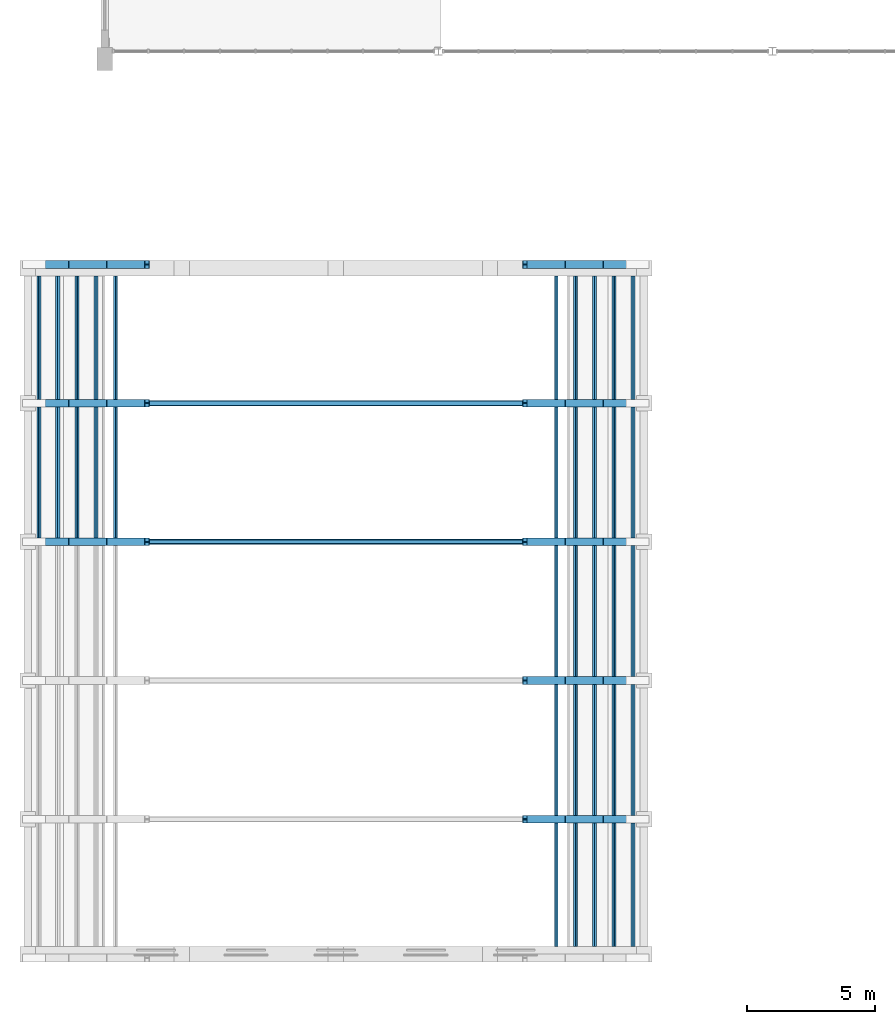
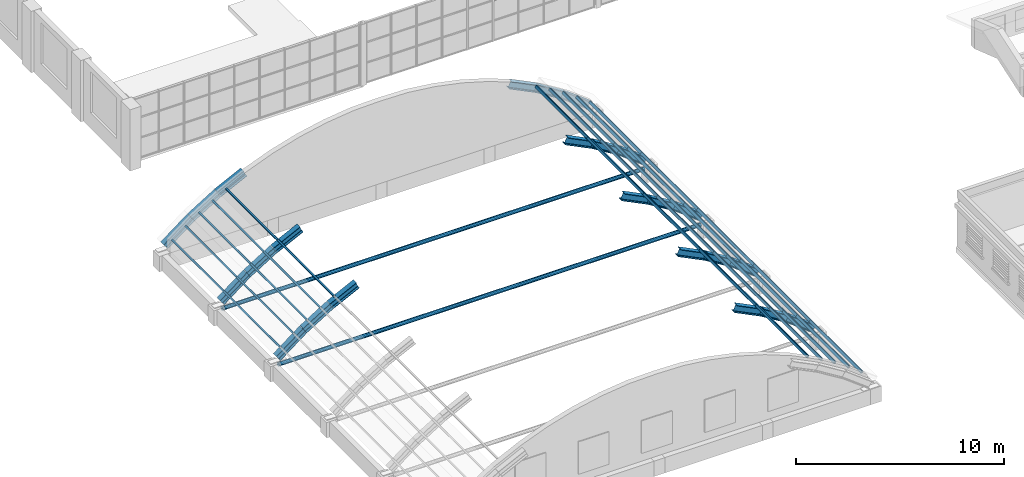
# One storey, part 5 of 70: 61 members.
"""IFC4 building model written with IfcOpenShell, lengths in metres."""

from ifc_helpers import new_model, si_unit, direction, frame, origin, origin_2d, place, context, subcontext, project, spatial, hollow_rectangle, hollow_circle, i_section, extrude, material, material_profile, profile_set, type_object, element, save


model = new_model("IFC4")

# Units and contexts
model_context = context("Model", 3, precision=1e-05, world=origin(), true_north=direction((0.0, 1.0)))
body_context = subcontext(model_context, "Body", "Model", "MODEL_VIEW")
ifc_project = project(units=[si_unit("LENGTHUNIT", "METRE"), si_unit("AREAUNIT", "SQUARE_METRE"), si_unit("VOLUMEUNIT", "CUBIC_METRE"), si_unit("PLANEANGLEUNIT", "RADIAN"), si_unit("MASSUNIT", "GRAM", prefix="KILO")], contexts=[model_context])

# Site, building, storey
site_placement = place(None, origin())
site = spatial("IfcSite", under=ifc_project, at=site_placement, CompositionType="ELEMENT")
building_placement = place(site_placement, origin())
building = spatial("IfcBuilding", under=site, at=building_placement, Name="Elbe Cascade School", CompositionType="ELEMENT")
storey_placement = place(building_placement, frame((0.0, 0.0, 8.10009765625)))
storey = spatial("IfcBuildingStorey", under=building, at=storey_placement, Name="L02", CompositionType="ELEMENT", Elevation=8.10009765625)

# Members
ifc_material_1 = material(Name="Steel S355J2H", Category="steel")
ifc_material_profile_1 = material_profile(ifc_material_1, hollow_rectangle(XDim=0.10009765625, YDim=0.14990234375, WallThickness=0.008056640625, InnerFilletRadius=0.008056640625, OuterFilletRadius=0.011962890625, at=origin_2d()), Name="RHS 150x100x8")
ifc_profile_set_1 = profile_set([ifc_material_profile_1], Name="Steel S355J2H")
member_type_1 = type_object("IfcMemberType", Name="Assembly hall vault purlin RHS 150x100x8", PredefinedType="PURLIN", material=ifc_profile_set_1)
member_1_placement = place(storey_placement, frame((5.43359375, 22.199951171875, 1.59765625), z_axis=(0.0, 1.0, 0.0), x_axis=(-0.795995663867, 0.0, -0.605302323723)))
element("IfcMember", 1, at=member_1_placement, inside=storey, type_object=member_type_1, Name="Assembly hall vault purlin RHS 150x100x8 M12", PredefinedType="PURLIN", context=body_context, shape_type="SweptSolid", body=[
    extrude(hollow_rectangle(XDim=0.10009765625, YDim=0.14990234375, WallThickness=0.008056640625, InnerFilletRadius=0.008056640625, OuterFilletRadius=0.011962890625, at=origin_2d()), origin(), (0.0, 0.0, 1.0), 5.400146484375),
])
member_2_placement = place(storey_placement, frame((5.43359375, 27.60009765625, 1.59765625), z_axis=(0.0, 1.0, 0.0), x_axis=(-0.795995663867, 0.0, -0.605302323723)))
element("IfcMember", 2, at=member_2_placement, inside=storey, type_object=member_type_1, Name="Assembly hall vault purlin RHS 150x100x8 M12", PredefinedType="PURLIN", context=body_context, shape_type="SweptSolid", body=[
    extrude(hollow_rectangle(XDim=0.10009765625, YDim=0.14990234375, WallThickness=0.008056640625, InnerFilletRadius=0.008056640625, OuterFilletRadius=0.011962890625, at=origin_2d()), origin(), (0.0, 0.0, 1.0), 4.949951171875),
])
member_3_placement = place(storey_placement, frame((6.1689453125, 22.199951171875, 2.156982421875), z_axis=(0.0, 1.0, 0.0), x_axis=(-0.795995663867, 0.0, -0.605302323723)))
element("IfcMember", 3, at=member_3_placement, inside=storey, type_object=member_type_1, Name="Assembly hall vault purlin RHS 150x100x8 M12", PredefinedType="PURLIN", context=body_context, shape_type="SweptSolid", body=[
    extrude(hollow_rectangle(XDim=0.10009765625, YDim=0.14990234375, WallThickness=0.008056640625, InnerFilletRadius=0.008056640625, OuterFilletRadius=0.011962890625, at=origin_2d()), origin(), (0.0, 0.0, 1.0), 5.400146484375),
])
member_4_placement = place(storey_placement, frame((6.1689453125, 27.60009765625, 2.156982421875), z_axis=(0.0, 1.0, 0.0), x_axis=(-0.795995663867, 0.0, -0.605302323723)))
element("IfcMember", 4, at=member_4_placement, inside=storey, type_object=member_type_1, Name="Assembly hall vault purlin RHS 150x100x8 M12", PredefinedType="PURLIN", context=body_context, shape_type="SweptSolid", body=[
    extrude(hollow_rectangle(XDim=0.10009765625, YDim=0.14990234375, WallThickness=0.008056640625, InnerFilletRadius=0.008056640625, OuterFilletRadius=0.011962890625, at=origin_2d()), origin(), (0.0, 0.0, 1.0), 4.949951171875),
])
member_5_placement = place(storey_placement, frame((6.9267578125, 22.199951171875, 2.678466796875), z_axis=(0.0, 1.0, 0.0), x_axis=(-0.851433237023, 0.0, -0.524463004313)))
element("IfcMember", 5, at=member_5_placement, inside=storey, type_object=member_type_1, Name="Assembly hall vault purlin RHS 150x100x8 M12", PredefinedType="PURLIN", context=body_context, shape_type="SweptSolid", body=[
    extrude(hollow_rectangle(XDim=0.10009765625, YDim=0.14990234375, WallThickness=0.008056640625, InnerFilletRadius=0.008056640625, OuterFilletRadius=0.011962890625, at=origin_2d()), origin(), (0.0, 0.0, 1.0), 5.400146484375),
])
member_6_placement = place(storey_placement, frame((6.9267578125, 27.60009765625, 2.678466796875), z_axis=(0.0, 1.0, 0.0), x_axis=(-0.851433237023, 0.0, -0.524463004313)))
element("IfcMember", 6, at=member_6_placement, inside=storey, type_object=member_type_1, Name="Assembly hall vault purlin RHS 150x100x8 M12", PredefinedType="PURLIN", context=body_context, shape_type="SweptSolid", body=[
    extrude(hollow_rectangle(XDim=0.10009765625, YDim=0.14990234375, WallThickness=0.008056640625, InnerFilletRadius=0.008056640625, OuterFilletRadius=0.011962890625, at=origin_2d()), origin(), (0.0, 0.0, 1.0), 4.949951171875),
])
member_7_placement = place(storey_placement, frame((7.662109375, 22.199951171875, 3.13134765625), z_axis=(0.0, 1.0, 0.0), x_axis=(-0.851433237023, 0.0, -0.524463004313)))
element("IfcMember", 7, at=member_7_placement, inside=storey, type_object=member_type_1, Name="Assembly hall vault purlin RHS 150x100x8 M12", PredefinedType="PURLIN", context=body_context, shape_type="SweptSolid", body=[
    extrude(hollow_rectangle(XDim=0.10009765625, YDim=0.14990234375, WallThickness=0.008056640625, InnerFilletRadius=0.008056640625, OuterFilletRadius=0.011962890625, at=origin_2d()), origin(), (0.0, 0.0, 1.0), 5.400146484375),
])
member_8_placement = place(storey_placement, frame((7.662109375, 27.60009765625, 3.13134765625), z_axis=(0.0, 1.0, 0.0), x_axis=(-0.851433237023, 0.0, -0.524463004313)))
element("IfcMember", 8, at=member_8_placement, inside=storey, type_object=member_type_1, Name="Assembly hall vault purlin RHS 150x100x8 M12", PredefinedType="PURLIN", context=body_context, shape_type="SweptSolid", body=[
    extrude(hollow_rectangle(XDim=0.10009765625, YDim=0.14990234375, WallThickness=0.008056640625, InnerFilletRadius=0.008056640625, OuterFilletRadius=0.011962890625, at=origin_2d()), origin(), (0.0, 0.0, 1.0), 4.949951171875),
])
member_9_placement = place(storey_placement, frame((8.419921875, 22.199951171875, 3.55224609375), z_axis=(0.0, 1.0, 0.0), x_axis=(-0.896138941153, 0.0, -0.443773588837)))
element("IfcMember", 9, at=member_9_placement, inside=storey, type_object=member_type_1, Name="Assembly hall vault purlin RHS 150x100x8 M12", PredefinedType="PURLIN", context=body_context, shape_type="SweptSolid", body=[
    extrude(hollow_rectangle(XDim=0.10009765625, YDim=0.14990234375, WallThickness=0.008056640625, InnerFilletRadius=0.008056640625, OuterFilletRadius=0.011962890625, at=origin_2d()), origin(), (0.0, 0.0, 1.0), 5.400146484375),
])
for number, where, z_axis, x_axis, name in (
    (10, (8.419921875, 27.60009765625, 3.55224609375), (0.0, 1.0, 0.0), (-0.896138941153, 0.0, -0.443773588837), "Assembly hall vault purlin RHS 150x100x8 M12"),
    (11, (25.580078125, 6.449951171875, 3.55224609375), (0.0, 1.0, 0.0), (-0.896150558811, 0.0, 0.443750127822), "Assembly hall vault purlin RHS 150x100x8 M12"),
):
    element("IfcMember", number, at=place(storey_placement, frame(where, z_axis=z_axis, x_axis=x_axis)), inside=storey, type_object=member_type_1, Name=name, PredefinedType="PURLIN", context=body_context, shape_type="SweptSolid", body=[
        extrude(hollow_rectangle(XDim=0.10009765625, YDim=0.14990234375, WallThickness=0.008056640625, InnerFilletRadius=0.008056640625, OuterFilletRadius=0.011962890625, at=origin_2d()), origin(), (0.0, 0.0, 1.0), 4.949951171875),
    ])
member_10_placement = place(storey_placement, frame((25.580078125, 11.39990234375, 3.55224609375), z_axis=(0.0, 1.0, 0.0), x_axis=(-0.896150558811, 0.0, 0.443750127822)))
element("IfcMember", 12, at=member_10_placement, inside=storey, type_object=member_type_1, Name="Assembly hall vault purlin RHS 150x100x8 M12", PredefinedType="PURLIN", context=body_context, shape_type="SweptSolid", body=[
    extrude(hollow_rectangle(XDim=0.10009765625, YDim=0.14990234375, WallThickness=0.008056640625, InnerFilletRadius=0.008056640625, OuterFilletRadius=0.011962890625, at=origin_2d()), origin(), (0.0, 0.0, 1.0), 5.400146484375),
])
member_11_placement = place(storey_placement, frame((25.580078125, 16.800048828125, 3.55224609375), z_axis=(0.0, 1.0, 0.0), x_axis=(-0.896150558811, 0.0, 0.443750127822)))
element("IfcMember", 13, at=member_11_placement, inside=storey, type_object=member_type_1, Name="Assembly hall vault purlin RHS 150x100x8 M12", PredefinedType="PURLIN", context=body_context, shape_type="SweptSolid", body=[
    extrude(hollow_rectangle(XDim=0.10009765625, YDim=0.14990234375, WallThickness=0.008056640625, InnerFilletRadius=0.008056640625, OuterFilletRadius=0.011962890625, at=origin_2d()), origin(), (0.0, 0.0, 1.0), 5.39990234375),
])
member_12_placement = place(storey_placement, frame((25.580078125, 22.199951171875, 3.55224609375), z_axis=(0.0, 1.0, 0.0), x_axis=(-0.896150558811, 0.0, 0.443750127822)))
element("IfcMember", 14, at=member_12_placement, inside=storey, type_object=member_type_1, Name="Assembly hall vault purlin RHS 150x100x8 M12", PredefinedType="PURLIN", context=body_context, shape_type="SweptSolid", body=[
    extrude(hollow_rectangle(XDim=0.10009765625, YDim=0.14990234375, WallThickness=0.008056640625, InnerFilletRadius=0.008056640625, OuterFilletRadius=0.011962890625, at=origin_2d()), origin(), (0.0, 0.0, 1.0), 5.400146484375),
])
for number, where, z_axis, x_axis, name in (
    (15, (25.580078125, 27.60009765625, 3.55224609375), (0.0, 1.0, 0.0), (-0.896150558811, 0.0, 0.443750127822), "Assembly hall vault purlin RHS 150x100x8 M12"),
    (16, (26.337890625, 6.449951171875, 3.13134765625), (0.0, 1.0, 0.0), (-0.851417675517, 0.0, 0.524488266615), "Assembly hall vault purlin RHS 150x100x8 M12"),
):
    element("IfcMember", number, at=place(storey_placement, frame(where, z_axis=z_axis, x_axis=x_axis)), inside=storey, type_object=member_type_1, Name=name, PredefinedType="PURLIN", context=body_context, shape_type="SweptSolid", body=[
        extrude(hollow_rectangle(XDim=0.10009765625, YDim=0.14990234375, WallThickness=0.008056640625, InnerFilletRadius=0.008056640625, OuterFilletRadius=0.011962890625, at=origin_2d()), origin(), (0.0, 0.0, 1.0), 4.949951171875),
    ])
member_13_placement = place(storey_placement, frame((26.337890625, 11.39990234375, 3.13134765625), z_axis=(0.0, 1.0, 0.0), x_axis=(-0.851417675517, 0.0, 0.524488266615)))
element("IfcMember", 17, at=member_13_placement, inside=storey, type_object=member_type_1, Name="Assembly hall vault purlin RHS 150x100x8 M12", PredefinedType="PURLIN", context=body_context, shape_type="SweptSolid", body=[
    extrude(hollow_rectangle(XDim=0.10009765625, YDim=0.14990234375, WallThickness=0.008056640625, InnerFilletRadius=0.008056640625, OuterFilletRadius=0.011962890625, at=origin_2d()), origin(), (0.0, 0.0, 1.0), 5.400146484375),
])
member_14_placement = place(storey_placement, frame((26.337890625, 16.800048828125, 3.13134765625), z_axis=(0.0, 1.0, 0.0), x_axis=(-0.851417675517, 0.0, 0.524488266615)))
element("IfcMember", 18, at=member_14_placement, inside=storey, type_object=member_type_1, Name="Assembly hall vault purlin RHS 150x100x8 M12", PredefinedType="PURLIN", context=body_context, shape_type="SweptSolid", body=[
    extrude(hollow_rectangle(XDim=0.10009765625, YDim=0.14990234375, WallThickness=0.008056640625, InnerFilletRadius=0.008056640625, OuterFilletRadius=0.011962890625, at=origin_2d()), origin(), (0.0, 0.0, 1.0), 5.39990234375),
])
member_15_placement = place(storey_placement, frame((26.337890625, 22.199951171875, 3.13134765625), z_axis=(0.0, 1.0, 0.0), x_axis=(-0.851417675517, 0.0, 0.524488266615)))
element("IfcMember", 19, at=member_15_placement, inside=storey, type_object=member_type_1, Name="Assembly hall vault purlin RHS 150x100x8 M12", PredefinedType="PURLIN", context=body_context, shape_type="SweptSolid", body=[
    extrude(hollow_rectangle(XDim=0.10009765625, YDim=0.14990234375, WallThickness=0.008056640625, InnerFilletRadius=0.008056640625, OuterFilletRadius=0.011962890625, at=origin_2d()), origin(), (0.0, 0.0, 1.0), 5.400146484375),
])
for number, where, z_axis, x_axis, name in (
    (20, (26.337890625, 27.60009765625, 3.13134765625), (0.0, 1.0, 0.0), (-0.851417675517, 0.0, 0.524488266615), "Assembly hall vault purlin RHS 150x100x8 M12"),
    (21, (27.0732421875, 6.449951171875, 2.678466796875), (0.0, 1.0, 0.0), (-0.851417675517, 0.0, 0.524488266615), "Assembly hall vault purlin RHS 150x100x8 M12"),
):
    element("IfcMember", number, at=place(storey_placement, frame(where, z_axis=z_axis, x_axis=x_axis)), inside=storey, type_object=member_type_1, Name=name, PredefinedType="PURLIN", context=body_context, shape_type="SweptSolid", body=[
        extrude(hollow_rectangle(XDim=0.10009765625, YDim=0.14990234375, WallThickness=0.008056640625, InnerFilletRadius=0.008056640625, OuterFilletRadius=0.011962890625, at=origin_2d()), origin(), (0.0, 0.0, 1.0), 4.949951171875),
    ])
member_16_placement = place(storey_placement, frame((27.0732421875, 11.39990234375, 2.678466796875), z_axis=(0.0, 1.0, 0.0), x_axis=(-0.851417675517, 0.0, 0.524488266615)))
element("IfcMember", 22, at=member_16_placement, inside=storey, type_object=member_type_1, Name="Assembly hall vault purlin RHS 150x100x8 M12", PredefinedType="PURLIN", context=body_context, shape_type="SweptSolid", body=[
    extrude(hollow_rectangle(XDim=0.10009765625, YDim=0.14990234375, WallThickness=0.008056640625, InnerFilletRadius=0.008056640625, OuterFilletRadius=0.011962890625, at=origin_2d()), origin(), (0.0, 0.0, 1.0), 5.400146484375),
])
member_17_placement = place(storey_placement, frame((27.0732421875, 16.800048828125, 2.678466796875), z_axis=(0.0, 1.0, 0.0), x_axis=(-0.851417675517, 0.0, 0.524488266615)))
element("IfcMember", 23, at=member_17_placement, inside=storey, type_object=member_type_1, Name="Assembly hall vault purlin RHS 150x100x8 M12", PredefinedType="PURLIN", context=body_context, shape_type="SweptSolid", body=[
    extrude(hollow_rectangle(XDim=0.10009765625, YDim=0.14990234375, WallThickness=0.008056640625, InnerFilletRadius=0.008056640625, OuterFilletRadius=0.011962890625, at=origin_2d()), origin(), (0.0, 0.0, 1.0), 5.39990234375),
])
member_18_placement = place(storey_placement, frame((27.0732421875, 22.199951171875, 2.678466796875), z_axis=(0.0, 1.0, 0.0), x_axis=(-0.851417675517, 0.0, 0.524488266615)))
element("IfcMember", 24, at=member_18_placement, inside=storey, type_object=member_type_1, Name="Assembly hall vault purlin RHS 150x100x8 M12", PredefinedType="PURLIN", context=body_context, shape_type="SweptSolid", body=[
    extrude(hollow_rectangle(XDim=0.10009765625, YDim=0.14990234375, WallThickness=0.008056640625, InnerFilletRadius=0.008056640625, OuterFilletRadius=0.011962890625, at=origin_2d()), origin(), (0.0, 0.0, 1.0), 5.400146484375),
])
for number, where, z_axis, x_axis, name in (
    (25, (27.0732421875, 27.60009765625, 2.678466796875), (0.0, 1.0, 0.0), (-0.851417675517, 0.0, 0.524488266615), "Assembly hall vault purlin RHS 150x100x8 M12"),
    (26, (27.8310546875, 6.449951171875, 2.156982421875), (0.0, 1.0, 0.0), (-0.795995663867, 0.0, 0.605302323723), "Assembly hall vault purlin RHS 150x100x8 M12"),
):
    element("IfcMember", number, at=place(storey_placement, frame(where, z_axis=z_axis, x_axis=x_axis)), inside=storey, type_object=member_type_1, Name=name, PredefinedType="PURLIN", context=body_context, shape_type="SweptSolid", body=[
        extrude(hollow_rectangle(XDim=0.10009765625, YDim=0.14990234375, WallThickness=0.008056640625, InnerFilletRadius=0.008056640625, OuterFilletRadius=0.011962890625, at=origin_2d()), origin(), (0.0, 0.0, 1.0), 4.949951171875),
    ])
member_19_placement = place(storey_placement, frame((27.8310546875, 11.39990234375, 2.156982421875), z_axis=(0.0, 1.0, 0.0), x_axis=(-0.795995663867, 0.0, 0.605302323723)))
element("IfcMember", 27, at=member_19_placement, inside=storey, type_object=member_type_1, Name="Assembly hall vault purlin RHS 150x100x8 M12", PredefinedType="PURLIN", context=body_context, shape_type="SweptSolid", body=[
    extrude(hollow_rectangle(XDim=0.10009765625, YDim=0.14990234375, WallThickness=0.008056640625, InnerFilletRadius=0.008056640625, OuterFilletRadius=0.011962890625, at=origin_2d()), origin(), (0.0, 0.0, 1.0), 5.400146484375),
])
member_20_placement = place(storey_placement, frame((27.8310546875, 16.800048828125, 2.156982421875), z_axis=(0.0, 1.0, 0.0), x_axis=(-0.795995663867, 0.0, 0.605302323723)))
element("IfcMember", 28, at=member_20_placement, inside=storey, type_object=member_type_1, Name="Assembly hall vault purlin RHS 150x100x8 M12", PredefinedType="PURLIN", context=body_context, shape_type="SweptSolid", body=[
    extrude(hollow_rectangle(XDim=0.10009765625, YDim=0.14990234375, WallThickness=0.008056640625, InnerFilletRadius=0.008056640625, OuterFilletRadius=0.011962890625, at=origin_2d()), origin(), (0.0, 0.0, 1.0), 5.39990234375),
])
member_21_placement = place(storey_placement, frame((27.8310546875, 22.199951171875, 2.156982421875), z_axis=(0.0, 1.0, 0.0), x_axis=(-0.795995663867, 0.0, 0.605302323723)))
element("IfcMember", 29, at=member_21_placement, inside=storey, type_object=member_type_1, Name="Assembly hall vault purlin RHS 150x100x8 M12", PredefinedType="PURLIN", context=body_context, shape_type="SweptSolid", body=[
    extrude(hollow_rectangle(XDim=0.10009765625, YDim=0.14990234375, WallThickness=0.008056640625, InnerFilletRadius=0.008056640625, OuterFilletRadius=0.011962890625, at=origin_2d()), origin(), (0.0, 0.0, 1.0), 5.400146484375),
])
for number, where, z_axis, x_axis, name in (
    (30, (27.8310546875, 27.60009765625, 2.156982421875), (0.0, 1.0, 0.0), (-0.795995663867, 0.0, 0.605302323723), "Assembly hall vault purlin RHS 150x100x8 M12"),
    (31, (28.56640625, 6.449951171875, 1.59765625), (0.0, 1.0, 0.0), (-0.795995663867, 0.0, 0.605302323723), "Assembly hall vault purlin RHS 150x100x8 M12"),
):
    element("IfcMember", number, at=place(storey_placement, frame(where, z_axis=z_axis, x_axis=x_axis)), inside=storey, type_object=member_type_1, Name=name, PredefinedType="PURLIN", context=body_context, shape_type="SweptSolid", body=[
        extrude(hollow_rectangle(XDim=0.10009765625, YDim=0.14990234375, WallThickness=0.008056640625, InnerFilletRadius=0.008056640625, OuterFilletRadius=0.011962890625, at=origin_2d()), origin(), (0.0, 0.0, 1.0), 4.949951171875),
    ])
member_22_placement = place(storey_placement, frame((28.56640625, 11.39990234375, 1.59765625), z_axis=(0.0, 1.0, 0.0), x_axis=(-0.795995663867, 0.0, 0.605302323723)))
element("IfcMember", 32, at=member_22_placement, inside=storey, type_object=member_type_1, Name="Assembly hall vault purlin RHS 150x100x8 M12", PredefinedType="PURLIN", context=body_context, shape_type="SweptSolid", body=[
    extrude(hollow_rectangle(XDim=0.10009765625, YDim=0.14990234375, WallThickness=0.008056640625, InnerFilletRadius=0.008056640625, OuterFilletRadius=0.011962890625, at=origin_2d()), origin(), (0.0, 0.0, 1.0), 5.400146484375),
])
member_23_placement = place(storey_placement, frame((28.56640625, 16.800048828125, 1.59765625), z_axis=(0.0, 1.0, 0.0), x_axis=(-0.795995663867, 0.0, 0.605302323723)))
element("IfcMember", 33, at=member_23_placement, inside=storey, type_object=member_type_1, Name="Assembly hall vault purlin RHS 150x100x8 M12", PredefinedType="PURLIN", context=body_context, shape_type="SweptSolid", body=[
    extrude(hollow_rectangle(XDim=0.10009765625, YDim=0.14990234375, WallThickness=0.008056640625, InnerFilletRadius=0.008056640625, OuterFilletRadius=0.011962890625, at=origin_2d()), origin(), (0.0, 0.0, 1.0), 5.39990234375),
])
member_24_placement = place(storey_placement, frame((28.56640625, 22.199951171875, 1.59765625), z_axis=(0.0, 1.0, 0.0), x_axis=(-0.795995663867, 0.0, 0.605302323723)))
element("IfcMember", 34, at=member_24_placement, inside=storey, type_object=member_type_1, Name="Assembly hall vault purlin RHS 150x100x8 M12", PredefinedType="PURLIN", context=body_context, shape_type="SweptSolid", body=[
    extrude(hollow_rectangle(XDim=0.10009765625, YDim=0.14990234375, WallThickness=0.008056640625, InnerFilletRadius=0.008056640625, OuterFilletRadius=0.011962890625, at=origin_2d()), origin(), (0.0, 0.0, 1.0), 5.400146484375),
])
member_25_placement = place(storey_placement, frame((28.56640625, 27.60009765625, 1.59765625), z_axis=(0.0, 1.0, 0.0), x_axis=(-0.795995663867, 0.0, 0.605302323723)))
element("IfcMember", 35, at=member_25_placement, inside=storey, type_object=member_type_1, Name="Assembly hall vault purlin RHS 150x100x8 M12", PredefinedType="PURLIN", context=body_context, shape_type="SweptSolid", body=[
    extrude(hollow_rectangle(XDim=0.10009765625, YDim=0.14990234375, WallThickness=0.008056640625, InnerFilletRadius=0.008056640625, OuterFilletRadius=0.011962890625, at=origin_2d()), origin(), (0.0, 0.0, 1.0), 4.949951171875),
])
ifc_material_2 = material(Name="Steel S355J2", Category="steel")
ifc_material_profile_2 = material_profile(ifc_material_2, i_section(OverallWidth=0.300048828125, OverallDepth=0.39990234375, WebThickness=0.013427734375, FlangeThickness=0.02392578125, FilletRadius=0.027099609375, at=origin_2d()), Name="HEB 400")
ifc_profile_set_2 = profile_set([ifc_material_profile_2], Name="Steel S355J2")
member_type_2 = type_object("IfcMemberType", Name="Assembly hall vault rib HEB 400", PredefinedType="RAFTER", material=ifc_profile_set_2)
member_26_placement = place(storey_placement, frame((24.35498046875, 11.39990234375, 3.852294921875), z_axis=(0.896116318669, 0.0, -0.443819268864), x_axis=(0.0, 1.0, 0.0)))
element("IfcMember", 36, at=member_26_placement, inside=storey, type_object=member_type_2, Name="Assembly hall vault rib HEB 400 M11", PredefinedType="RAFTER", context=body_context, shape_type="SweptSolid", body=[
    extrude(i_section(OverallWidth=0.300048828125, OverallDepth=0.39990234375, WebThickness=0.013427734375, FlangeThickness=0.02392578125, FilletRadius=0.027099609375, at=origin_2d()), origin(), (0.0, 0.0, 1.0), 1.641357421875),
])
member_27_placement = place(storey_placement, frame((25.825927734375, 11.39990234375, 3.123779296875), z_axis=(0.851449605929, 0.0, -0.524436429478), x_axis=(0.0, 1.0, 0.0)))
element("IfcMember", 37, at=member_27_placement, inside=storey, type_object=member_type_2, Name="Assembly hall vault rib HEB 400 M11", PredefinedType="RAFTER", context=body_context, shape_type="SweptSolid", body=[
    extrude(i_section(OverallWidth=0.300048828125, OverallDepth=0.39990234375, WebThickness=0.013427734375, FlangeThickness=0.02392578125, FilletRadius=0.027099609375, at=origin_2d()), origin(), (0.0, 0.0, 1.0), 1.7275390625),
])
member_28_placement = place(storey_placement, frame((27.296875, 11.39990234375, 2.2177734375), z_axis=(0.795971222687, 0.0, -0.605334463461), x_axis=(0.0, 1.0, 0.0)))
element("IfcMember", 38, at=member_28_placement, inside=storey, type_object=member_type_2, Name="Assembly hall vault rib HEB 400 M11", PredefinedType="RAFTER", context=body_context, shape_type="SweptSolid", body=[
    extrude(i_section(OverallWidth=0.300048828125, OverallDepth=0.39990234375, WebThickness=0.013427734375, FlangeThickness=0.02392578125, FilletRadius=0.027099609375, at=origin_2d()), origin(), (0.0, 0.0, 1.0), 1.847900390625),
])
member_29_placement = place(storey_placement, frame((24.35498046875, 16.800048828125, 3.852294921875), z_axis=(0.896116318669, 0.0, -0.443819268864), x_axis=(0.0, 1.0, 0.0)))
element("IfcMember", 39, at=member_29_placement, inside=storey, type_object=member_type_2, Name="Assembly hall vault rib HEB 400 M11", PredefinedType="RAFTER", context=body_context, shape_type="SweptSolid", body=[
    extrude(i_section(OverallWidth=0.300048828125, OverallDepth=0.39990234375, WebThickness=0.013427734375, FlangeThickness=0.02392578125, FilletRadius=0.027099609375, at=origin_2d()), origin(), (0.0, 0.0, 1.0), 1.641357421875),
])
member_30_placement = place(storey_placement, frame((25.825927734375, 16.800048828125, 3.123779296875), z_axis=(0.851449605929, 0.0, -0.524436429478), x_axis=(0.0, 1.0, 0.0)))
element("IfcMember", 40, at=member_30_placement, inside=storey, type_object=member_type_2, Name="Assembly hall vault rib HEB 400 M11", PredefinedType="RAFTER", context=body_context, shape_type="SweptSolid", body=[
    extrude(i_section(OverallWidth=0.300048828125, OverallDepth=0.39990234375, WebThickness=0.013427734375, FlangeThickness=0.02392578125, FilletRadius=0.027099609375, at=origin_2d()), origin(), (0.0, 0.0, 1.0), 1.7275390625),
])
for number, where, z_axis, x_axis, name in (
    (41, (27.296875, 16.800048828125, 2.2177734375), (0.795971222687, 0.0, -0.605334463461), (0.0, 1.0, 0.0), "Assembly hall vault rib HEB 400 M11"),
    (42, (5.232177734375, 22.199951171875, 1.09912109375), (0.795971222687, 0.0, 0.605334463461), (0.0, 1.0, 0.0), "Assembly hall vault rib HEB 400 M11"),
):
    element("IfcMember", number, at=place(storey_placement, frame(where, z_axis=z_axis, x_axis=x_axis)), inside=storey, type_object=member_type_2, Name=name, PredefinedType="RAFTER", context=body_context, shape_type="SweptSolid", body=[
        extrude(i_section(OverallWidth=0.300048828125, OverallDepth=0.39990234375, WebThickness=0.013427734375, FlangeThickness=0.02392578125, FilletRadius=0.027099609375, at=origin_2d()), origin(), (0.0, 0.0, 1.0), 1.847900390625),
    ])
member_31_placement = place(storey_placement, frame((6.703125, 22.199951171875, 2.2177734375), z_axis=(0.851488466504, 0.0, 0.524373332094), x_axis=(0.0, 1.0, 0.0)))
element("IfcMember", 43, at=member_31_placement, inside=storey, type_object=member_type_2, Name="Assembly hall vault rib HEB 400 M11", PredefinedType="RAFTER", context=body_context, shape_type="SweptSolid", body=[
    extrude(i_section(OverallWidth=0.300048828125, OverallDepth=0.39990234375, WebThickness=0.013427734375, FlangeThickness=0.02392578125, FilletRadius=0.027099609375, at=origin_2d()), origin(), (0.0, 0.0, 1.0), 1.727783203125),
])
for number, where, z_axis, x_axis, name in (
    (44, (8.17431640625, 22.199951171875, 3.123779296875), (0.896087016048, 0.0, 0.443878428932), (0.0, 1.0, 0.0), "Assembly hall vault rib HEB 400 M11"),
    (45, (24.35498046875, 22.199951171875, 3.852294921875), (0.896116318669, 0.0, -0.443819268864), (0.0, 1.0, 0.0), "Assembly hall vault rib HEB 400 M11"),
):
    element("IfcMember", number, at=place(storey_placement, frame(where, z_axis=z_axis, x_axis=x_axis)), inside=storey, type_object=member_type_2, Name=name, PredefinedType="RAFTER", context=body_context, shape_type="SweptSolid", body=[
        extrude(i_section(OverallWidth=0.300048828125, OverallDepth=0.39990234375, WebThickness=0.013427734375, FlangeThickness=0.02392578125, FilletRadius=0.027099609375, at=origin_2d()), origin(), (0.0, 0.0, 1.0), 1.641357421875),
    ])
member_32_placement = place(storey_placement, frame((25.825927734375, 22.199951171875, 3.123779296875), z_axis=(0.851449605929, 0.0, -0.524436429478), x_axis=(0.0, 1.0, 0.0)))
element("IfcMember", 46, at=member_32_placement, inside=storey, type_object=member_type_2, Name="Assembly hall vault rib HEB 400 M11", PredefinedType="RAFTER", context=body_context, shape_type="SweptSolid", body=[
    extrude(i_section(OverallWidth=0.300048828125, OverallDepth=0.39990234375, WebThickness=0.013427734375, FlangeThickness=0.02392578125, FilletRadius=0.027099609375, at=origin_2d()), origin(), (0.0, 0.0, 1.0), 1.7275390625),
])
for number, where, z_axis, x_axis, name in (
    (47, (27.296875, 22.199951171875, 2.2177734375), (0.795971222687, 0.0, -0.605334463461), (0.0, 1.0, 0.0), "Assembly hall vault rib HEB 400 M11"),
    (48, (5.232177734375, 27.60009765625, 1.09912109375), (0.795971222687, 0.0, 0.605334463461), (0.0, 1.0, 0.0), "Assembly hall vault rib HEB 400 M11"),
):
    element("IfcMember", number, at=place(storey_placement, frame(where, z_axis=z_axis, x_axis=x_axis)), inside=storey, type_object=member_type_2, Name=name, PredefinedType="RAFTER", context=body_context, shape_type="SweptSolid", body=[
        extrude(i_section(OverallWidth=0.300048828125, OverallDepth=0.39990234375, WebThickness=0.013427734375, FlangeThickness=0.02392578125, FilletRadius=0.027099609375, at=origin_2d()), origin(), (0.0, 0.0, 1.0), 1.847900390625),
    ])
member_33_placement = place(storey_placement, frame((6.703125, 27.60009765625, 2.2177734375), z_axis=(0.851488466504, 0.0, 0.524373332094), x_axis=(0.0, 1.0, 0.0)))
element("IfcMember", 49, at=member_33_placement, inside=storey, type_object=member_type_2, Name="Assembly hall vault rib HEB 400 M11", PredefinedType="RAFTER", context=body_context, shape_type="SweptSolid", body=[
    extrude(i_section(OverallWidth=0.300048828125, OverallDepth=0.39990234375, WebThickness=0.013427734375, FlangeThickness=0.02392578125, FilletRadius=0.027099609375, at=origin_2d()), origin(), (0.0, 0.0, 1.0), 1.727783203125),
])
for number, where, z_axis, x_axis, name in (
    (50, (8.17431640625, 27.60009765625, 3.123779296875), (0.896087016048, 0.0, 0.443878428932), (0.0, 1.0, 0.0), "Assembly hall vault rib HEB 400 M11"),
    (51, (24.35498046875, 27.60009765625, 3.852294921875), (0.896116318669, 0.0, -0.443819268864), (0.0, 1.0, 0.0), "Assembly hall vault rib HEB 400 M11"),
):
    element("IfcMember", number, at=place(storey_placement, frame(where, z_axis=z_axis, x_axis=x_axis)), inside=storey, type_object=member_type_2, Name=name, PredefinedType="RAFTER", context=body_context, shape_type="SweptSolid", body=[
        extrude(i_section(OverallWidth=0.300048828125, OverallDepth=0.39990234375, WebThickness=0.013427734375, FlangeThickness=0.02392578125, FilletRadius=0.027099609375, at=origin_2d()), origin(), (0.0, 0.0, 1.0), 1.641357421875),
    ])
member_34_placement = place(storey_placement, frame((25.825927734375, 27.60009765625, 3.123779296875), z_axis=(0.851449605929, 0.0, -0.524436429478), x_axis=(0.0, 1.0, 0.0)))
element("IfcMember", 52, at=member_34_placement, inside=storey, type_object=member_type_2, Name="Assembly hall vault rib HEB 400 M11", PredefinedType="RAFTER", context=body_context, shape_type="SweptSolid", body=[
    extrude(i_section(OverallWidth=0.300048828125, OverallDepth=0.39990234375, WebThickness=0.013427734375, FlangeThickness=0.02392578125, FilletRadius=0.027099609375, at=origin_2d()), origin(), (0.0, 0.0, 1.0), 1.7275390625),
])
for number, where, z_axis, x_axis, name in (
    (53, (27.296875, 27.60009765625, 2.2177734375), (0.795971222687, 0.0, -0.605334463461), (0.0, 1.0, 0.0), "Assembly hall vault rib HEB 400 M11"),
    (54, (5.232177734375, 33.0, 1.09912109375), (0.795971222687, 0.0, 0.605334463461), (0.0, 1.0, 0.0), "Assembly hall vault rib HEB 400 M11"),
):
    element("IfcMember", number, at=place(storey_placement, frame(where, z_axis=z_axis, x_axis=x_axis)), inside=storey, type_object=member_type_2, Name=name, PredefinedType="RAFTER", context=body_context, shape_type="SweptSolid", body=[
        extrude(i_section(OverallWidth=0.300048828125, OverallDepth=0.39990234375, WebThickness=0.013427734375, FlangeThickness=0.02392578125, FilletRadius=0.027099609375, at=origin_2d()), origin(), (0.0, 0.0, 1.0), 1.847900390625),
    ])
member_35_placement = place(storey_placement, frame((6.703125, 33.0, 2.2177734375), z_axis=(0.851488466504, 0.0, 0.524373332094), x_axis=(0.0, 1.0, 0.0)))
element("IfcMember", 55, at=member_35_placement, inside=storey, type_object=member_type_2, Name="Assembly hall vault rib HEB 400 M11", PredefinedType="RAFTER", context=body_context, shape_type="SweptSolid", body=[
    extrude(i_section(OverallWidth=0.300048828125, OverallDepth=0.39990234375, WebThickness=0.013427734375, FlangeThickness=0.02392578125, FilletRadius=0.027099609375, at=origin_2d()), origin(), (0.0, 0.0, 1.0), 1.727783203125),
])
for number, where, z_axis, x_axis, name in (
    (56, (8.17431640625, 33.0, 3.123779296875), (0.896087016048, 0.0, 0.443878428932), (0.0, 1.0, 0.0), "Assembly hall vault rib HEB 400 M11"),
    (57, (24.35498046875, 33.0, 3.852294921875), (0.896116318669, 0.0, -0.443819268864), (0.0, 1.0, 0.0), "Assembly hall vault rib HEB 400 M11"),
):
    element("IfcMember", number, at=place(storey_placement, frame(where, z_axis=z_axis, x_axis=x_axis)), inside=storey, type_object=member_type_2, Name=name, PredefinedType="RAFTER", context=body_context, shape_type="SweptSolid", body=[
        extrude(i_section(OverallWidth=0.300048828125, OverallDepth=0.39990234375, WebThickness=0.013427734375, FlangeThickness=0.02392578125, FilletRadius=0.027099609375, at=origin_2d()), origin(), (0.0, 0.0, 1.0), 1.641357421875),
    ])
member_36_placement = place(storey_placement, frame((25.825927734375, 33.0, 3.123779296875), z_axis=(0.851449605929, 0.0, -0.524436429478), x_axis=(0.0, 1.0, 0.0)))
element("IfcMember", 58, at=member_36_placement, inside=storey, type_object=member_type_2, Name="Assembly hall vault rib HEB 400 M11", PredefinedType="RAFTER", context=body_context, shape_type="SweptSolid", body=[
    extrude(i_section(OverallWidth=0.300048828125, OverallDepth=0.39990234375, WebThickness=0.013427734375, FlangeThickness=0.02392578125, FilletRadius=0.027099609375, at=origin_2d()), origin(), (0.0, 0.0, 1.0), 1.7275390625),
])
member_37_placement = place(storey_placement, frame((27.296875, 33.0, 2.2177734375), z_axis=(0.795971222687, 0.0, -0.605334463461), x_axis=(0.0, 1.0, 0.0)))
element("IfcMember", 59, at=member_37_placement, inside=storey, type_object=member_type_2, Name="Assembly hall vault rib HEB 400 M11", PredefinedType="RAFTER", context=body_context, shape_type="SweptSolid", body=[
    extrude(i_section(OverallWidth=0.300048828125, OverallDepth=0.39990234375, WebThickness=0.013427734375, FlangeThickness=0.02392578125, FilletRadius=0.027099609375, at=origin_2d()), origin(), (0.0, 0.0, 1.0), 1.847900390625),
])
ifc_material_3 = material(Name="Steel S355J2H", Category="steel")
ifc_material_profile_3 = material_profile(ifc_material_3, hollow_circle(Radius=0.109619140625, WallThickness=0.012451171875, at=origin_2d()), Name="CHS 219.1x12.5")
ifc_profile_set_3 = profile_set([ifc_material_profile_3], Name="Steel S355J2H")
member_type_3 = type_object("IfcMemberType", Name="Assembly hall vault tie CHS 219.1x12.5", PredefinedType="USERDEFINED", material=ifc_profile_set_3)
for number, where, z_axis, x_axis, name in (
    (60, (5.300048828125, 22.199951171875, 0.64990234375), (1.0, 0.0, 0.0), (0.0, 1.0, 0.0), "Assembly hall vault tie CHS 219.1x12.5 M13"),
    (61, (5.300048828125, 27.60009765625, 0.64990234375), (1.0, 0.0, 0.0), (0.0, 1.0, 0.0), "Assembly hall vault tie CHS 219.1x12.5 M13"),
):
    element("IfcMember", number, at=place(storey_placement, frame(where, z_axis=z_axis, x_axis=x_axis)), inside=storey, type_object=member_type_3, Name=name, ObjectType="TIE", PredefinedType="USERDEFINED", context=body_context, shape_type="SweptSolid", body=[
        extrude(hollow_circle(Radius=0.109619140625, WallThickness=0.012451171875, at=origin_2d()), origin(), (0.0, 0.0, 1.0), 23.39990234375),
    ])

save(model, "model.ifc")
